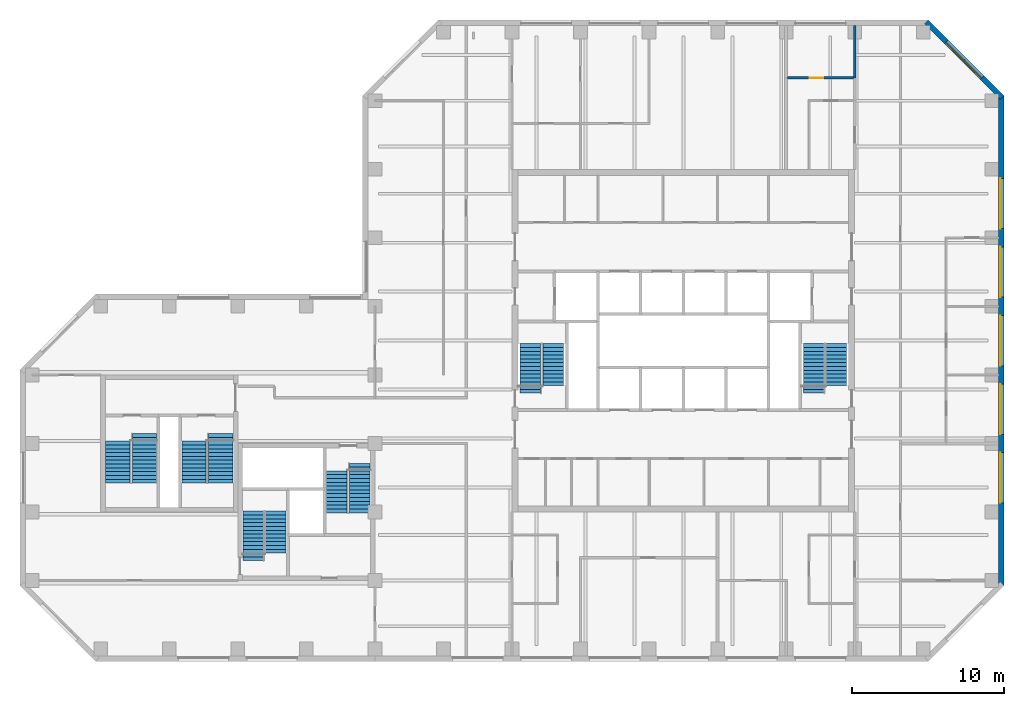
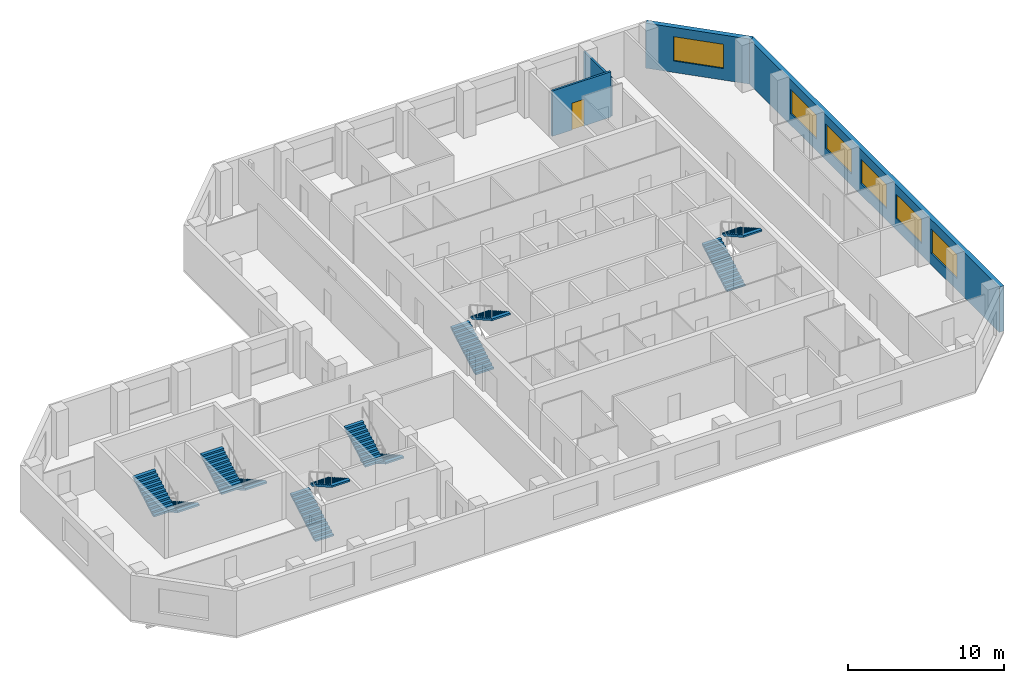
# One storey, part 7 of 8: 12 stair flights, 6 windows, 4 walls, 1 door, 7 openings, 6 elements without a shape of their own.
"""IFC4 building model written with IfcOpenShell, lengths in metres."""

import ifcopenshell
import ifcopenshell.guid

model = None  # the IFC model being written
_history = None  # IfcOwnerHistory: only IFC2X3 demands one
_inside = {}  # id of a spatial element -> (the spatial element, [elements in it])
_under = {}  # id of a project, library or spatial element -> (it, [spatial elements below it])
_declared = {}  # id of a project -> (the project, [libraries it declares])
_typed = {}  # id of a type object -> (the type object, [elements of that type])
_made_of = {}  # id of a material, layer set ... -> (it, [elements and type objects made of it])


def new_model(schema):
    """Start an empty IFC model of exactly this schema.

    Asked for "IFC4X3", IfcOpenShell would pick the latest addendum, in which some entities
    have other attributes; the version numbers below select the first issue.
    IFC2X3 requires an IfcOwnerHistory on every rooted entity: one is made here for all.
    """
    global model, _history
    if schema == "IFC4X3":
        model = ifcopenshell.file(schema_version=(4, 3, 0, 0))
    else:
        model = ifcopenshell.file(schema=schema)
    _inside.clear()
    _under.clear()
    _declared.clear()
    _typed.clear()
    _made_of.clear()
    _history = None
    if model.schema == "IFC2X3":
        org = make("IfcOrganization", Name="unknown")
        user = make(
            "IfcPersonAndOrganization",
            ThePerson=make("IfcPerson", FamilyName="unknown"),
            TheOrganization=org,
        )
        app = make(
            "IfcApplication",
            ApplicationDeveloper=org,
            Version="unknown",
            ApplicationFullName="unknown",
            ApplicationIdentifier="unknown",
        )
        _history = make(
            "IfcOwnerHistory",
            OwningUser=user,
            OwningApplication=app,
            ChangeAction="ADDED",
            CreationDate=0,
        )
    return model


def make(cls, **values):
    """One entity of the class cls with the attributes given. An attribute that is None is left unset."""
    return model.create_entity(
        cls, **{name: value for name, value in values.items() if value is not None}
    )


def rooted(cls, **values):
    """An entity with a GlobalId (a new one), such as an element, a storey or a relation."""
    return make(cls, GlobalId=ifcopenshell.guid.new(), OwnerHistory=_history, **values)


def si_unit(unit_type, name, prefix=None):
    """IfcSIUnit, for example si_unit("LENGTHUNIT", "METRE", prefix="MILLI")."""
    return make("IfcSIUnit", UnitType=unit_type, Prefix=prefix, Name=name)


def assignment(units):
    """IfcUnitAssignment: the units of a project."""
    return None if units is None else make("IfcUnitAssignment", Units=units)


def point(xyz):
    """IfcCartesianPoint."""
    return None if xyz is None else make("IfcCartesianPoint", Coordinates=xyz)


def direction(xyz):
    """IfcDirection."""
    return None if xyz is None else make("IfcDirection", DirectionRatios=xyz)


def frame(location, z_axis=None, x_axis=None):
    """IfcAxis2Placement3D, a coordinate frame: its origin and axes. An axis left out is left unset."""
    return make(
        "IfcAxis2Placement3D",
        Location=point(location),
        Axis=direction(z_axis),
        RefDirection=direction(x_axis),
    )


def frame_2d(location, x_axis=None):
    """IfcAxis2Placement2D, a coordinate frame in the plane: its origin and x axis."""
    return make(
        "IfcAxis2Placement2D", Location=point(location), RefDirection=direction(x_axis)
    )


def origin():
    """The frame at (0, 0, 0) with its axes left unset."""
    return frame((0.0, 0.0, 0.0))


def place(relative_to, where):
    """IfcLocalPlacement: puts the frame where relative to a parent placement (None: the world)."""
    return make(
        "IfcLocalPlacement", PlacementRelTo=relative_to, RelativePlacement=where
    )


def context(
    kind, dimensions, precision=None, world=None, true_north=None, identifier=None
):
    """IfcGeometricRepresentationContext, for example the 3D "Model" context."""
    return make(
        "IfcGeometricRepresentationContext",
        ContextIdentifier=identifier,
        ContextType=kind,
        CoordinateSpaceDimension=dimensions,
        Precision=precision,
        WorldCoordinateSystem=world,
        TrueNorth=true_north,
    )


def subcontext(parent, identifier, kind, view, scale=None):
    """IfcGeometricRepresentationSubContext, for example "Body" below "Model"."""
    return make(
        "IfcGeometricRepresentationSubContext",
        ContextIdentifier=identifier,
        ContextType=kind,
        ParentContext=parent,
        TargetScale=scale,
        TargetView=view,
    )


def project(units=None, contexts=None):
    """IfcProject with its units and contexts."""
    return rooted(
        "IfcProject",
        Name="project",
        RepresentationContexts=contexts,
        UnitsInContext=assignment(units),
    )


def spatial(cls, under=None, at=None, **own):
    """A site, building, storey or space (cls), placed at a placement, below another one or the project."""
    s = rooted(cls, ObjectPlacement=at, **own)
    if under is not None:
        _under.setdefault(under.id(), (under, []))[1].append(s)
    return s


def polyline(points):
    """IfcPolyline through the points."""
    return make("IfcPolyline", Points=[point(p) for p in points])


def profile(cls, at=None, kind="AREA", **sizes):
    """A parametric profile (cls). Its sizes go by their IFC names, for example OverallWidth=200.0."""
    return make(cls, ProfileType=kind, Position=at, **sizes)


def rectangle(**sizes):
    """IfcRectangleProfileDef."""
    return profile("IfcRectangleProfileDef", **sizes)


def outline(outer, holes=None, kind="AREA"):
    """IfcArbitraryClosedProfileDef: a profile drawn as a closed curve; with holes, ...WithVoids."""
    if holes is None:
        return make("IfcArbitraryClosedProfileDef", ProfileType=kind, OuterCurve=outer)
    return make(
        "IfcArbitraryProfileDefWithVoids",
        ProfileType=kind,
        OuterCurve=outer,
        InnerCurves=holes,
    )


def extrude(swept, where, along, depth):
    """IfcExtrudedAreaSolid: the profile swept, set in the frame where, extruded along a direction by depth."""
    return make(
        "IfcExtrudedAreaSolid",
        SweptArea=swept,
        Position=where,
        ExtrudedDirection=direction(along),
        Depth=depth,
    )


def shape(context_of_items, identifier, shape_type, items):
    """IfcShapeRepresentation: the items that make up one representation, for example the "Body"."""
    return make(
        "IfcShapeRepresentation",
        ContextOfItems=context_of_items,
        RepresentationIdentifier=identifier,
        RepresentationType=shape_type,
        Items=items,
    )


def material(Name=None, Category=None):
    """IfcMaterial."""
    return make("IfcMaterial", Name=Name, Category=Category)


def layer(
    of_material, thickness, ventilated=None, Name=None, Category=None, Priority=None
):
    """IfcMaterialLayer: one layer of a wall or slab, of a material (None: an air gap)."""
    return make(
        "IfcMaterialLayer",
        Material=of_material,
        LayerThickness=thickness,
        IsVentilated=ventilated,
        Name=Name,
        Category=Category,
        Priority=Priority,
    )


def layer_set(layers, Name=None):
    """IfcMaterialLayerSet."""
    return make("IfcMaterialLayerSet", MaterialLayers=layers, LayerSetName=Name)


def constituent(of_material, Name=None, Category=None, fraction=None):
    """IfcMaterialConstituent: one of the materials an element consists of."""
    return make(
        "IfcMaterialConstituent",
        Name=Name,
        Material=of_material,
        Fraction=fraction,
        Category=Category,
    )


def constituent_set(constituents=None, Name=None):
    """IfcMaterialConstituentSet."""
    return make(
        "IfcMaterialConstituentSet", Name=Name, MaterialConstituents=constituents
    )


def made_of(thing, what):
    """Note that an element or type object is made of a material, layer set ...; save() writes the relation."""
    if what is not None:
        _made_of.setdefault(what.id(), (what, []))[1].append(thing)
    return thing


def type_object(cls, material=None, **own):
    """A type object (cls), such as IfcWallType, which elements share."""
    return made_of(rooted(cls, **own), material)


def element(
    cls,
    number,
    at=None,
    inside=None,
    cuts=None,
    type_object=None,
    material=None,
    context=None,
    identifier="Body",
    shape_type=None,
    held_by="IfcProductDefinitionShape",
    body=None,
    shapes=None,
    **own,
):
    """One element of the class cls, such as IfcWall. Its Tag is "e" and its number.

    at: its placement. inside: the storey or other place that contains it. cuts: it is an
    opening in that element (IfcRelVoidsElement). A single representation is given by context,
    identifier, shape_type and body (its items); several are given by shapes. held_by: the class
    of the entity that holds the representations. save() writes the other relations.
    """
    e = rooted(cls, Tag="e%d" % number, ObjectPlacement=at, **own)
    if body is not None:
        shapes = [shape(context, identifier, shape_type, body)]
    if shapes is not None:
        e.Representation = make(held_by, Representations=shapes)
    if inside is not None:
        _inside.setdefault(inside.id(), (inside, []))[1].append(e)
    if cuts is not None:
        rooted(
            "IfcRelVoidsElement", RelatingBuildingElement=cuts, RelatedOpeningElement=e
        )
    if type_object is not None:
        _typed.setdefault(type_object.id(), (type_object, []))[1].append(e)
    return made_of(e, material)


def fill(opening, filler):
    """IfcRelFillsElement: the door or window that sits in an opening."""
    return rooted(
        "IfcRelFillsElement",
        RelatingOpeningElement=opening,
        RelatedBuildingElement=filler,
    )


def aggregate(whole, parts):
    """IfcRelAggregates: a whole, such as a stair, and the parts it consists of."""
    return rooted("IfcRelAggregates", RelatingObject=whole, RelatedObjects=parts)


def save(model, path):
    """Write the relations noted so far, then the file.

    IfcRelAggregates (storeys below a building ...), IfcRelContainedInSpatialStructure (elements
    in a storey), IfcRelDefinesByType, IfcRelAssociatesMaterial and IfcRelDeclares: one each for
    every whole, place, type object, material and project.
    """
    for whole, parts in _under.values():
        aggregate(whole, parts)
    for where, things in _inside.values():
        rooted(
            "IfcRelContainedInSpatialStructure",
            RelatedElements=things,
            RelatingStructure=where,
        )
    for kind, things in _typed.values():
        rooted("IfcRelDefinesByType", RelatedObjects=things, RelatingType=kind)
    for what, things in _made_of.values():
        rooted("IfcRelAssociatesMaterial", RelatedObjects=things, RelatingMaterial=what)
    for by, libraries in _declared.values():
        rooted("IfcRelDeclares", RelatingContext=by, RelatedDefinitions=libraries)
    model.write(path)


model = new_model("IFC4")

# Units and contexts
model_context = context("Model", 3, precision=1e-05, world=origin(), true_north=direction((0.0, 1.0)))
body_context = subcontext(model_context, "Body", "Model", "MODEL_VIEW")
ifc_project = project(units=[si_unit("LENGTHUNIT", "METRE"), si_unit("AREAUNIT", "SQUARE_METRE"), si_unit("VOLUMEUNIT", "CUBIC_METRE"), si_unit("PLANEANGLEUNIT", "RADIAN"), si_unit("MASSUNIT", "GRAM", prefix="KILO")], contexts=[model_context])

# Site, building, storey
site_placement = place(None, origin())
site = spatial("IfcSite", under=ifc_project, at=site_placement, CompositionType="ELEMENT")
building_placement = place(site_placement, origin())
building = spatial("IfcBuilding", under=site, at=building_placement, Name="Quoin Convention Tower", CompositionType="ELEMENT")
storey_placement = place(building_placement, frame((0.0, 0.0, 211.89990234375)))
storey = spatial("IfcBuildingStorey", under=building, at=storey_placement, Name="L55", CompositionType="ELEMENT", Elevation=211.89990234375)

# Wall, opening, door
ifc_material_1 = material(Name="Plasterboard")
ifc_layer_1 = layer(ifc_material_1, 0.012451171875, Name="Finish")
ifc_material_2 = material(Name="Steel stud framing", Category="steel")
ifc_layer_2 = layer(ifc_material_2, 0.125, Name="Structure")
ifc_layer_3 = layer(ifc_material_1, 0.012451171875, Name="Finish")
ifc_layer_set_1 = layer_set([ifc_layer_1, ifc_layer_2, ifc_layer_3], Name="Steel stud framing")
wall_type_1 = type_object("IfcWallType", Name="Acoustic partition 150", PredefinedType="PARTITIONING", material=ifc_layer_set_1)
wall_1_placement = place(storey_placement, frame((63.10009765625, 78.0, 0.0), z_axis=(0.0, 0.0, 1.0), x_axis=(1.0, 0.0, 0.0)))
wall_1 = element("IfcWall", 1, at=wall_1_placement, inside=storey, type_object=wall_type_1, Name="pw-L55-024", PredefinedType="PARTITIONING", context=body_context, shape_type="SweptSolid", body=[
    extrude(rectangle(XDim=4.324951171875, YDim=0.14990234375, at=frame_2d((2.16259765625, 0.0))), origin(), (0.0, 0.0, 1.0), 3.550048828125),
])
opening_1_placement = place(wall_1_placement, frame((1.449951171875, 0.0, 0.0)))
opening_1 = element("IfcOpeningElement", 2, at=opening_1_placement, cuts=wall_1, Name="Opening DOH9-08", PredefinedType="OPENING", context=body_context, shape_type="SweptSolid", body=[
    extrude(rectangle(XDim=0.89990234375, YDim=2.10009765625, at=frame_2d((0.449951171875, 1.050048828125))), frame((0.0, 0.0849609375, 0.0), z_axis=(0.0, -1.0, 0.0), x_axis=(1.0, 0.0, 0.0)), (0.0, 0.0, 1.0), 0.169921875),
])
ifc_material_3 = material(Name="Steel door leaf", Category="steel")
door_type = type_object("IfcDoorType", Name="Office door 900 x 2100", OperationType="SINGLE_SWING_RIGHT", PredefinedType="DOOR", material=ifc_material_3)
door_placement = place(opening_1_placement, origin())
door = element("IfcDoor", 3, at=door_placement, inside=storey, type_object=door_type, Name="dr-L55-19", OperationType="SINGLE_SWING_LEFT", OverallHeight=2.10009765625, OverallWidth=0.89990234375, PredefinedType="DOOR", context=body_context, shape_type="SweptSolid", body=[
    extrude(rectangle(XDim=0.89990234375, YDim=2.10009765625, at=frame_2d((0.449951171875, 1.050048828125))), frame((0.0, 0.02490234375, 0.0), z_axis=(0.0, -1.0, 0.0), x_axis=(1.0, 0.0, 0.0)), (0.0, 0.0, 1.0), 0.050048828125),
])
fill(opening_1, door)

# Wall, openings, windows
ifc_material_4 = material(Name="Brick masonry", Category="masonry")
ifc_layer_4 = layer(ifc_material_4, 0.35009765625)
ifc_layer_set_2 = layer_set([ifc_layer_4], Name="Brick masonry")
wall_type_2 = type_object("IfcWallType", Name="Brick facade wall", PredefinedType="STANDARD", material=ifc_layer_set_2)
wall_2_placement = place(storey_placement, frame((77.125, 44.668701171875, 0.0), z_axis=(0.0, 0.0, 1.0), x_axis=(0.0, 1.0, 0.0)))
wall_2 = element("IfcWall", 4, at=wall_2_placement, inside=storey, type_object=wall_type_2, Name="fw-L55-76500_45000", PredefinedType="STANDARD", context=body_context, shape_type="SweptSolid", body=[
    extrude(rectangle(XDim=32.16259765625, YDim=0.35009765625, at=frame_2d((16.081298828125, 0.0))), origin(), (0.0, 0.0, 1.0), 3.525146484375),
])
opening_2_placement = place(wall_2_placement, frame((5.431396484375, 0.0, 0.89990234375)))
opening_2 = element("IfcOpeningElement", 5, at=opening_2_placement, cuts=wall_2, Name="Opening W-02", PredefinedType="OPENING", context=body_context, shape_type="SweptSolid", body=[
    extrude(rectangle(XDim=3.300048828125, YDim=1.89990234375, at=frame_2d((1.64990234375, 0.949951171875))), frame((0.0, 0.18505859375, 0.0), z_axis=(0.0, -1.0, 0.0), x_axis=(1.0, 0.0, 0.0)), (0.0, 0.0, 1.0), 0.3701171875),
])
opening_3_placement = place(wall_2_placement, frame((9.931396484375, 0.0, 0.89990234375)))
opening_3 = element("IfcOpeningElement", 6, at=opening_3_placement, cuts=wall_2, Name="Opening W-02", PredefinedType="OPENING", context=body_context, shape_type="SweptSolid", body=[
    extrude(rectangle(XDim=3.300048828125, YDim=1.89990234375, at=frame_2d((1.64990234375, 0.949951171875))), frame((0.0, 0.18505859375, 0.0), z_axis=(0.0, -1.0, 0.0), x_axis=(1.0, 0.0, 0.0)), (0.0, 0.0, 1.0), 0.3701171875),
])
opening_4_placement = place(wall_2_placement, frame((14.431396484375, 0.0, 0.89990234375)))
opening_4 = element("IfcOpeningElement", 7, at=opening_4_placement, cuts=wall_2, Name="Opening W-02", PredefinedType="OPENING", context=body_context, shape_type="SweptSolid", body=[
    extrude(rectangle(XDim=3.300048828125, YDim=1.89990234375, at=frame_2d((1.64990234375, 0.949951171875))), frame((0.0, 0.18505859375, 0.0), z_axis=(0.0, -1.0, 0.0), x_axis=(1.0, 0.0, 0.0)), (0.0, 0.0, 1.0), 0.3701171875),
])
opening_5_placement = place(wall_2_placement, frame((18.931396484375, 0.0, 0.89990234375)))
opening_5 = element("IfcOpeningElement", 8, at=opening_5_placement, cuts=wall_2, Name="Opening W-02", PredefinedType="OPENING", context=body_context, shape_type="SweptSolid", body=[
    extrude(rectangle(XDim=3.300048828125, YDim=1.89990234375, at=frame_2d((1.64990234375, 0.949951171875))), frame((0.0, 0.18505859375, 0.0), z_axis=(0.0, -1.0, 0.0), x_axis=(1.0, 0.0, 0.0)), (0.0, 0.0, 1.0), 0.3701171875),
])
opening_6_placement = place(wall_2_placement, frame((23.431396484375, 0.0, 0.89990234375)))
opening_6 = element("IfcOpeningElement", 9, at=opening_6_placement, cuts=wall_2, Name="Opening W-02", PredefinedType="OPENING", context=body_context, shape_type="SweptSolid", body=[
    extrude(rectangle(XDim=3.300048828125, YDim=1.89990234375, at=frame_2d((1.64990234375, 0.949951171875))), frame((0.0, 0.18505859375, 0.0), z_axis=(0.0, -1.0, 0.0), x_axis=(1.0, 0.0, 0.0)), (0.0, 0.0, 1.0), 0.3701171875),
])
ifc_material_5 = material(Name="Aluminium", Category="aluminium")
ifc_constituent_1 = constituent(ifc_material_5, Name="Frame")
ifc_material_6 = material(Name="Insulated glass", Category="glass")
ifc_constituent_2 = constituent(ifc_material_6, Name="Glazing")
ifc_constituent_set = constituent_set(constituents=[ifc_constituent_1, ifc_constituent_2], Name="Aluminium")
window_type = type_object("IfcWindowType", Name="Office window", PartitioningType="DOUBLE_PANEL_VERTICAL", PredefinedType="WINDOW", material=ifc_constituent_set)
window_1_placement = place(opening_2_placement, origin())
window_1 = element("IfcWindow", 10, at=window_1_placement, inside=storey, type_object=window_type, Name="win-L55-77125_51750", OverallHeight=1.89990234375, OverallWidth=3.300048828125, PartitioningType="SINGLE_PANEL", PredefinedType="WINDOW", context=body_context, shape_type="SweptSolid", body=[
    extrude(rectangle(XDim=3.300048828125, YDim=1.89990234375, at=frame_2d((1.64990234375, 0.949951171875))), frame((0.0, 0.0849609375, 0.0), z_axis=(0.0, -1.0, 0.0), x_axis=(1.0, 0.0, 0.0)), (0.0, 0.0, 1.0), 0.06005859375),
])
fill(opening_2, window_1)
window_2_placement = place(opening_3_placement, origin())
window_2 = element("IfcWindow", 11, at=window_2_placement, inside=storey, type_object=window_type, Name="win-L55-77125_56250", OverallHeight=1.89990234375, OverallWidth=3.300048828125, PartitioningType="SINGLE_PANEL", PredefinedType="WINDOW", context=body_context, shape_type="SweptSolid", body=[
    extrude(rectangle(XDim=3.300048828125, YDim=1.89990234375, at=frame_2d((1.64990234375, 0.949951171875))), frame((0.0, 0.0849609375, 0.0), z_axis=(0.0, -1.0, 0.0), x_axis=(1.0, 0.0, 0.0)), (0.0, 0.0, 1.0), 0.06005859375),
])
fill(opening_3, window_2)
window_3_placement = place(opening_4_placement, origin())
window_3 = element("IfcWindow", 12, at=window_3_placement, inside=storey, type_object=window_type, Name="win-L55-77125_60750", OverallHeight=1.89990234375, OverallWidth=3.300048828125, PartitioningType="SINGLE_PANEL", PredefinedType="WINDOW", context=body_context, shape_type="SweptSolid", body=[
    extrude(rectangle(XDim=3.300048828125, YDim=1.89990234375, at=frame_2d((1.64990234375, 0.949951171875))), frame((0.0, 0.0849609375, 0.0), z_axis=(0.0, -1.0, 0.0), x_axis=(1.0, 0.0, 0.0)), (0.0, 0.0, 1.0), 0.06005859375),
])
fill(opening_4, window_3)
window_4_placement = place(opening_5_placement, origin())
window_4 = element("IfcWindow", 13, at=window_4_placement, inside=storey, type_object=window_type, Name="win-L55-77125_65250", OverallHeight=1.89990234375, OverallWidth=3.300048828125, PartitioningType="SINGLE_PANEL", PredefinedType="WINDOW", context=body_context, shape_type="SweptSolid", body=[
    extrude(rectangle(XDim=3.300048828125, YDim=1.89990234375, at=frame_2d((1.64990234375, 0.949951171875))), frame((0.0, 0.0849609375, 0.0), z_axis=(0.0, -1.0, 0.0), x_axis=(1.0, 0.0, 0.0)), (0.0, 0.0, 1.0), 0.06005859375),
])
fill(opening_5, window_4)
window_5_placement = place(opening_6_placement, origin())
window_5 = element("IfcWindow", 14, at=window_5_placement, inside=storey, type_object=window_type, Name="win-L55-77125_69750", OverallHeight=1.89990234375, OverallWidth=3.300048828125, PartitioningType="SINGLE_PANEL", PredefinedType="WINDOW", context=body_context, shape_type="SweptSolid", body=[
    extrude(rectangle(XDim=3.300048828125, YDim=1.89990234375, at=frame_2d((1.64990234375, 0.949951171875))), frame((0.0, 0.0849609375, 0.0), z_axis=(0.0, -1.0, 0.0), x_axis=(1.0, 0.0, 0.0)), (0.0, 0.0, 1.0), 0.06005859375),
])
fill(opening_6, window_5)

# Wall, opening, window
wall_3_placement = place(storey_placement, frame((77.17626953125, 76.70751953125, 0.0), z_axis=(0.0, 0.0, 1.0), x_axis=(-0.707106781187, 0.707106781187, 0.0)))
wall_3 = element("IfcWall", 15, at=wall_3_placement, inside=storey, type_object=wall_type_2, Name="fw-L55-76500_76500", PredefinedType="STANDARD", context=body_context, shape_type="SweptSolid", body=[
    extrude(rectangle(XDim=7.02685546875, YDim=0.35009765625, at=frame_2d((3.513427734375, 0.0))), origin(), (0.0, 0.0, 1.0), 3.525146484375),
])
opening_7_placement = place(wall_3_placement, frame((1.86328125, 0.0, 0.89990234375)))
opening_7 = element("IfcOpeningElement", 16, at=opening_7_placement, cuts=wall_3, Name="Opening W-02", PredefinedType="OPENING", context=body_context, shape_type="SweptSolid", body=[
    extrude(rectangle(XDim=3.300048828125, YDim=1.89990234375, at=frame_2d((1.64990234375, 0.949951171875))), frame((0.0, 0.18505859375, 0.0), z_axis=(0.0, -1.0, 0.0), x_axis=(1.0, 0.0, 0.0)), (0.0, 0.0, 1.0), 0.3701171875),
])
window_6_placement = place(opening_7_placement, origin())
window_6 = element("IfcWindow", 17, at=window_6_placement, inside=storey, type_object=window_type, Name="win-L55-74692_79192", OverallHeight=1.89990234375, OverallWidth=3.300048828125, PartitioningType="SINGLE_PANEL", PredefinedType="WINDOW", context=body_context, shape_type="SweptSolid", body=[
    extrude(rectangle(XDim=3.300048828125, YDim=1.89990234375, at=frame_2d((1.64990234375, 0.949951171875))), frame((0.0, 0.0849609375, 0.0), z_axis=(0.0, -1.0, 0.0), x_axis=(1.0, 0.0, 0.0)), (0.0, 0.0, 1.0), 0.06005859375),
])
fill(opening_7, window_6)

# Wall
ifc_layer_5 = layer(ifc_material_1, 0.012451171875, Name="Finish")
ifc_layer_6 = layer(ifc_material_2, 0.125, Name="Structure")
ifc_layer_7 = layer(ifc_material_1, 0.012451171875, Name="Finish")
ifc_layer_set_3 = layer_set([ifc_layer_5, ifc_layer_6, ifc_layer_7], Name="Steel stud framing")
wall_type_3 = type_object("IfcWallType", Name="Corridor wall 150 under beam 528", PredefinedType="PARTITIONING", material=ifc_layer_set_3)
wall_4_placement = place(storey_placement, frame((67.5, 78.0, 0.0), z_axis=(0.0, 0.0, 1.0), x_axis=(0.0, 1.0, 0.0)))
element("IfcWall", 18, at=wall_4_placement, inside=storey, type_object=wall_type_3, Name="pw-L55-065", PredefinedType="PARTITIONING", context=body_context, shape_type="SweptSolid", body=[
    extrude(rectangle(XDim=3.449951171875, YDim=0.14990234375, at=frame_2d((1.72509765625, 0.0))), origin(), (0.0, 0.0, 1.0), 3.022216796875),
])

# Stair, stair flights
ifc_material_7 = material(Name="Concrete C40", Category="concrete")
stair_type_1 = type_object("IfcStairType", Name="Exit stair two-flight 1350", PredefinedType="HALF_TURN_STAIR", material=ifc_material_7)
stair_1_placement = place(storey_placement, origin())
stair_1 = element("IfcStair", 19, at=stair_1_placement, inside=storey, type_object=stair_type_1, Name="SD1 L55", PredefinedType="HALF_TURN_STAIR")
stair_flight_type_1 = type_object("IfcStairFlightType", Name="Stair flight 1350", PredefinedType="STRAIGHT", material=ifc_material_7)
stair_flight_1_placement = place(storey_placement, frame((46.199951171875, 57.300048828125, 0.0), z_axis=(0.0, 0.0, 1.0), x_axis=(0.0, 1.0, 0.0)))
stair_flight_1 = element("IfcStairFlight", 20, at=stair_flight_1_placement, type_object=stair_flight_type_1, Name="ST1 flight 1", NumberOfRisers=14, NumberOfTreads=13, PredefinedType="STRAIGHT", RiserHeight=0.142307692, TreadLength=0.25, context=body_context, shape_type="SweptSolid", body=[
    extrude(outline(polyline([(0.0, 0.0), (0.0, 0.142333984375), (0.25, 0.142333984375), (0.25, 0.28466796875), (0.5, 0.28466796875), (0.5, 0.427001953125), (0.75, 0.427001953125), (0.75, 0.5693359375), (1.0, 0.5693359375), (1.0, 0.71142578125), (1.25, 0.71142578125), (1.25, 0.853759765625), (1.5, 0.853759765625), (1.5, 0.99609375), (1.75, 0.99609375), (1.75, 1.138427734375), (2.0, 1.138427734375), (2.0, 1.28076171875), (2.25, 1.28076171875), (2.25, 1.423095703125), (2.5, 1.423095703125), (2.5, 1.5654296875), (2.75, 1.5654296875), (2.75, 1.707763671875), (3.0, 1.707763671875), (3.0, 1.85009765625), (3.25, 1.85009765625), (3.25, 1.9921875), (3.25, 1.711669921875), (0.242919921875, 0.0), (0.0, 0.0)])), frame((0.0, 0.675048828125, 0.0), z_axis=(0.0, -1.0, 0.0), x_axis=(1.0, 0.0, 0.0)), (0.0, 0.0, 1.0), 1.35009765625),
])
stair_flight_2_placement = place(storey_placement, frame((47.699951171875, 60.550048828125, 1.992431640625), z_axis=(0.0, 0.0, 1.0), x_axis=(0.0, -1.0, 0.0)))
stair_flight_2 = element("IfcStairFlight", 21, at=stair_flight_2_placement, type_object=stair_flight_type_1, Name="ST1 flight 2", NumberOfRisers=12, NumberOfTreads=11, PredefinedType="STRAIGHT", RiserHeight=0.142307692, TreadLength=0.25, context=body_context, shape_type="SweptSolid", body=[
    extrude(outline(polyline([(0.0, 0.0), (0.0, 0.142333984375), (0.25, 0.142333984375), (0.25, 0.28466796875), (0.5, 0.28466796875), (0.5, 0.427001953125), (0.75, 0.427001953125), (0.75, 0.5693359375), (1.0, 0.5693359375), (1.0, 0.71142578125), (1.25, 0.71142578125), (1.25, 0.853759765625), (1.5, 0.853759765625), (1.5, 0.99609375), (1.75, 0.99609375), (1.75, 1.138427734375), (2.0, 1.138427734375), (2.0, 1.28076171875), (2.25, 1.28076171875), (2.25, 1.423095703125), (2.5, 1.423095703125), (2.5, 1.5654296875), (2.75, 1.5654296875), (2.75, 1.707763671875), (2.75, 1.42724609375), (0.242919921875, 0.0), (0.0, 0.0)])), frame((0.0, 0.675048828125, 0.0), z_axis=(0.0, -1.0, 0.0), x_axis=(1.0, 0.0, 0.0)), (0.0, 0.0, 1.0), 1.35009765625),
])
aggregate(stair_1, [stair_flight_1, stair_flight_2])

stair_2_placement = place(storey_placement, origin())
stair_2 = element("IfcStair", 22, at=stair_2_placement, inside=storey, type_object=stair_type_1, Name="SD2 L55", PredefinedType="HALF_TURN_STAIR")
stair_flight_3_placement = place(storey_placement, frame((64.800048828125, 57.300048828125, 0.0), z_axis=(0.0, 0.0, 1.0), x_axis=(0.0, 1.0, 0.0)))
stair_flight_3 = element("IfcStairFlight", 23, at=stair_flight_3_placement, type_object=stair_flight_type_1, Name="ST2 flight 1", NumberOfRisers=14, NumberOfTreads=13, PredefinedType="STRAIGHT", RiserHeight=0.142307692, TreadLength=0.25, context=body_context, shape_type="SweptSolid", body=[
    extrude(outline(polyline([(0.0, 0.0), (0.0, 0.142333984375), (0.25, 0.142333984375), (0.25, 0.28466796875), (0.5, 0.28466796875), (0.5, 0.427001953125), (0.75, 0.427001953125), (0.75, 0.5693359375), (1.0, 0.5693359375), (1.0, 0.71142578125), (1.25, 0.71142578125), (1.25, 0.853759765625), (1.5, 0.853759765625), (1.5, 0.99609375), (1.75, 0.99609375), (1.75, 1.138427734375), (2.0, 1.138427734375), (2.0, 1.28076171875), (2.25, 1.28076171875), (2.25, 1.423095703125), (2.5, 1.423095703125), (2.5, 1.5654296875), (2.75, 1.5654296875), (2.75, 1.707763671875), (3.0, 1.707763671875), (3.0, 1.85009765625), (3.25, 1.85009765625), (3.25, 1.9921875), (3.25, 1.711669921875), (0.242919921875, 0.0), (0.0, 0.0)])), frame((0.0, 0.675048828125, 0.0), z_axis=(0.0, -1.0, 0.0), x_axis=(1.0, 0.0, 0.0)), (0.0, 0.0, 1.0), 1.35009765625),
])
stair_flight_4_placement = place(storey_placement, frame((66.300048828125, 60.550048828125, 1.992431640625), z_axis=(0.0, 0.0, 1.0), x_axis=(0.0, -1.0, 0.0)))
stair_flight_4 = element("IfcStairFlight", 24, at=stair_flight_4_placement, type_object=stair_flight_type_1, Name="ST2 flight 2", NumberOfRisers=12, NumberOfTreads=11, PredefinedType="STRAIGHT", RiserHeight=0.142307692, TreadLength=0.25, context=body_context, shape_type="SweptSolid", body=[
    extrude(outline(polyline([(0.0, 0.0), (0.0, 0.142333984375), (0.25, 0.142333984375), (0.25, 0.28466796875), (0.5, 0.28466796875), (0.5, 0.427001953125), (0.75, 0.427001953125), (0.75, 0.5693359375), (1.0, 0.5693359375), (1.0, 0.71142578125), (1.25, 0.71142578125), (1.25, 0.853759765625), (1.5, 0.853759765625), (1.5, 0.99609375), (1.75, 0.99609375), (1.75, 1.138427734375), (2.0, 1.138427734375), (2.0, 1.28076171875), (2.25, 1.28076171875), (2.25, 1.423095703125), (2.5, 1.423095703125), (2.5, 1.5654296875), (2.75, 1.5654296875), (2.75, 1.707763671875), (2.75, 1.42724609375), (0.242919921875, 0.0), (0.0, 0.0)])), frame((0.0, 0.675048828125, 0.0), z_axis=(0.0, -1.0, 0.0), x_axis=(1.0, 0.0, 0.0)), (0.0, 0.0, 1.0), 1.35009765625),
])
aggregate(stair_2, [stair_flight_3, stair_flight_4])

stair_3_placement = place(storey_placement, origin())
stair_3 = element("IfcStair", 25, at=stair_3_placement, inside=storey, type_object=stair_type_1, Name="SD3 L55", PredefinedType="HALF_TURN_STAIR")
stair_flight_5_placement = place(storey_placement, frame((28.0, 46.300048828125, 0.0), z_axis=(0.0, 0.0, 1.0), x_axis=(0.0, 1.0, 0.0)))
stair_flight_5 = element("IfcStairFlight", 26, at=stair_flight_5_placement, type_object=stair_flight_type_1, Name="ST3 flight 1", NumberOfRisers=14, NumberOfTreads=13, PredefinedType="STRAIGHT", RiserHeight=0.142307692, TreadLength=0.25, context=body_context, shape_type="SweptSolid", body=[
    extrude(outline(polyline([(0.0, 0.0), (0.0, 0.142333984375), (0.25, 0.142333984375), (0.25, 0.28466796875), (0.5, 0.28466796875), (0.5, 0.427001953125), (0.75, 0.427001953125), (0.75, 0.5693359375), (1.0, 0.5693359375), (1.0, 0.71142578125), (1.25, 0.71142578125), (1.25, 0.853759765625), (1.5, 0.853759765625), (1.5, 0.99609375), (1.75, 0.99609375), (1.75, 1.138427734375), (2.0, 1.138427734375), (2.0, 1.28076171875), (2.25, 1.28076171875), (2.25, 1.423095703125), (2.5, 1.423095703125), (2.5, 1.5654296875), (2.75, 1.5654296875), (2.75, 1.707763671875), (3.0, 1.707763671875), (3.0, 1.85009765625), (3.25, 1.85009765625), (3.25, 1.9921875), (3.25, 1.711669921875), (0.242919921875, 0.0), (0.0, 0.0)])), frame((0.0, 0.675048828125, 0.0), z_axis=(0.0, -1.0, 0.0), x_axis=(1.0, 0.0, 0.0)), (0.0, 0.0, 1.0), 1.35009765625),
])
stair_flight_6_placement = place(storey_placement, frame((29.5, 49.550048828125, 1.992431640625), z_axis=(0.0, 0.0, 1.0), x_axis=(0.0, -1.0, 0.0)))
stair_flight_6 = element("IfcStairFlight", 27, at=stair_flight_6_placement, type_object=stair_flight_type_1, Name="ST3 flight 2", NumberOfRisers=12, NumberOfTreads=11, PredefinedType="STRAIGHT", RiserHeight=0.142307692, TreadLength=0.25, context=body_context, shape_type="SweptSolid", body=[
    extrude(outline(polyline([(0.0, 0.0), (0.0, 0.142333984375), (0.25, 0.142333984375), (0.25, 0.28466796875), (0.5, 0.28466796875), (0.5, 0.427001953125), (0.75, 0.427001953125), (0.75, 0.5693359375), (1.0, 0.5693359375), (1.0, 0.71142578125), (1.25, 0.71142578125), (1.25, 0.853759765625), (1.5, 0.853759765625), (1.5, 0.99609375), (1.75, 0.99609375), (1.75, 1.138427734375), (2.0, 1.138427734375), (2.0, 1.28076171875), (2.25, 1.28076171875), (2.25, 1.423095703125), (2.5, 1.423095703125), (2.5, 1.5654296875), (2.75, 1.5654296875), (2.75, 1.707763671875), (2.75, 1.42724609375), (0.242919921875, 0.0), (0.0, 0.0)])), frame((0.0, 0.675048828125, 0.0), z_axis=(0.0, -1.0, 0.0), x_axis=(1.0, 0.0, 0.0)), (0.0, 0.0, 1.0), 1.35009765625),
])
aggregate(stair_3, [stair_flight_5, stair_flight_6])

stair_4_placement = place(storey_placement, origin())
stair_4 = element("IfcStair", 28, at=stair_4_placement, inside=storey, type_object=stair_type_1, Name="SD4 L55", PredefinedType="HALF_TURN_STAIR")
stair_flight_7_placement = place(storey_placement, frame((35.0, 52.699951171875, 0.0), z_axis=(0.0, 0.0, 1.0), x_axis=(0.0, -1.0, 0.0)))
stair_flight_7 = element("IfcStairFlight", 29, at=stair_flight_7_placement, type_object=stair_flight_type_1, Name="ST4 flight 1", NumberOfRisers=14, NumberOfTreads=13, PredefinedType="STRAIGHT", RiserHeight=0.142307692, TreadLength=0.25, context=body_context, shape_type="SweptSolid", body=[
    extrude(outline(polyline([(0.0, 0.0), (0.0, 0.142333984375), (0.25, 0.142333984375), (0.25, 0.28466796875), (0.5, 0.28466796875), (0.5, 0.427001953125), (0.75, 0.427001953125), (0.75, 0.5693359375), (1.0, 0.5693359375), (1.0, 0.71142578125), (1.25, 0.71142578125), (1.25, 0.853759765625), (1.5, 0.853759765625), (1.5, 0.99609375), (1.75, 0.99609375), (1.75, 1.138427734375), (2.0, 1.138427734375), (2.0, 1.28076171875), (2.25, 1.28076171875), (2.25, 1.423095703125), (2.5, 1.423095703125), (2.5, 1.5654296875), (2.75, 1.5654296875), (2.75, 1.707763671875), (3.0, 1.707763671875), (3.0, 1.85009765625), (3.25, 1.85009765625), (3.25, 1.9921875), (3.25, 1.711669921875), (0.242919921875, 0.0), (0.0, 0.0)])), frame((0.0, 0.675048828125, 0.0), z_axis=(0.0, -1.0, 0.0), x_axis=(1.0, 0.0, 0.0)), (0.0, 0.0, 1.0), 1.35009765625),
])
stair_flight_8_placement = place(storey_placement, frame((33.5, 49.449951171875, 1.992431640625), z_axis=(0.0, 0.0, 1.0), x_axis=(0.0, 1.0, 0.0)))
stair_flight_8 = element("IfcStairFlight", 30, at=stair_flight_8_placement, type_object=stair_flight_type_1, Name="ST4 flight 2", NumberOfRisers=12, NumberOfTreads=11, PredefinedType="STRAIGHT", RiserHeight=0.142307692, TreadLength=0.25, context=body_context, shape_type="SweptSolid", body=[
    extrude(outline(polyline([(0.0, 0.0), (0.0, 0.142333984375), (0.25, 0.142333984375), (0.25, 0.28466796875), (0.5, 0.28466796875), (0.5, 0.427001953125), (0.75, 0.427001953125), (0.75, 0.5693359375), (1.0, 0.5693359375), (1.0, 0.71142578125), (1.25, 0.71142578125), (1.25, 0.853759765625), (1.5, 0.853759765625), (1.5, 0.99609375), (1.75, 0.99609375), (1.75, 1.138427734375), (2.0, 1.138427734375), (2.0, 1.28076171875), (2.25, 1.28076171875), (2.25, 1.423095703125), (2.5, 1.423095703125), (2.5, 1.5654296875), (2.75, 1.5654296875), (2.75, 1.707763671875), (2.75, 1.42724609375), (0.242919921875, 0.0), (0.0, 0.0)])), frame((0.0, 0.675048828125, 0.0), z_axis=(0.0, -1.0, 0.0), x_axis=(1.0, 0.0, 0.0)), (0.0, 0.0, 1.0), 1.35009765625),
])
aggregate(stair_4, [stair_flight_7, stair_flight_8])

stair_type_2 = type_object("IfcStairType", Name="Exit stair two-flight 1600", PredefinedType="HALF_TURN_STAIR", material=ifc_material_7)
stair_5_placement = place(storey_placement, origin())
stair_5 = element("IfcStair", 31, at=stair_5_placement, inside=storey, type_object=stair_type_2, Name="SD11 L55", PredefinedType="HALF_TURN_STAIR")
stair_flight_type_2 = type_object("IfcStairFlightType", Name="Stair flight 1600", PredefinedType="STRAIGHT", material=ifc_material_7)
stair_flight_9_placement = place(storey_placement, frame((20.875, 54.64990234375, 0.0), z_axis=(0.0, 0.0, 1.0), x_axis=(0.0, -1.0, 0.0)))
stair_flight_9 = element("IfcStairFlight", 32, at=stair_flight_9_placement, type_object=stair_flight_type_2, Name="ST11 flight 1", NumberOfRisers=14, NumberOfTreads=13, PredefinedType="STRAIGHT", RiserHeight=0.142307692, TreadLength=0.25, context=body_context, shape_type="SweptSolid", body=[
    extrude(outline(polyline([(0.0, 0.0), (0.0, 0.142333984375), (0.25, 0.142333984375), (0.25, 0.28466796875), (0.5, 0.28466796875), (0.5, 0.427001953125), (0.75, 0.427001953125), (0.75, 0.5693359375), (1.0, 0.5693359375), (1.0, 0.71142578125), (1.25, 0.71142578125), (1.25, 0.853759765625), (1.5, 0.853759765625), (1.5, 0.99609375), (1.75, 0.99609375), (1.75, 1.138427734375), (2.0, 1.138427734375), (2.0, 1.28076171875), (2.25, 1.28076171875), (2.25, 1.423095703125), (2.5, 1.423095703125), (2.5, 1.5654296875), (2.75, 1.5654296875), (2.75, 1.707763671875), (3.0, 1.707763671875), (3.0, 1.85009765625), (3.25, 1.85009765625), (3.25, 1.9921875), (3.25, 1.711669921875), (0.242919921875, 0.0), (0.0, 0.0)])), frame((0.0, 0.800048828125, 0.0), z_axis=(0.0, -1.0, 0.0), x_axis=(1.0, 0.0, 0.0)), (0.0, 0.0, 1.0), 1.60009765625),
])
stair_flight_10_placement = place(storey_placement, frame((19.125, 51.39990234375, 1.992431640625), z_axis=(0.0, 0.0, 1.0), x_axis=(0.0, 1.0, 0.0)))
stair_flight_10 = element("IfcStairFlight", 33, at=stair_flight_10_placement, type_object=stair_flight_type_2, Name="ST11 flight 2", NumberOfRisers=12, NumberOfTreads=11, PredefinedType="STRAIGHT", RiserHeight=0.142307692, TreadLength=0.25, context=body_context, shape_type="SweptSolid", body=[
    extrude(outline(polyline([(0.0, 0.0), (0.0, 0.142333984375), (0.25, 0.142333984375), (0.25, 0.28466796875), (0.5, 0.28466796875), (0.5, 0.427001953125), (0.75, 0.427001953125), (0.75, 0.5693359375), (1.0, 0.5693359375), (1.0, 0.71142578125), (1.25, 0.71142578125), (1.25, 0.853759765625), (1.5, 0.853759765625), (1.5, 0.99609375), (1.75, 0.99609375), (1.75, 1.138427734375), (2.0, 1.138427734375), (2.0, 1.28076171875), (2.25, 1.28076171875), (2.25, 1.423095703125), (2.5, 1.423095703125), (2.5, 1.5654296875), (2.75, 1.5654296875), (2.75, 1.707763671875), (2.75, 1.42724609375), (0.242919921875, 0.0), (0.0, 0.0)])), frame((0.0, 0.800048828125, 0.0), z_axis=(0.0, -1.0, 0.0), x_axis=(1.0, 0.0, 0.0)), (0.0, 0.0, 1.0), 1.60009765625),
])
aggregate(stair_5, [stair_flight_9, stair_flight_10])

stair_6_placement = place(storey_placement, origin())
stair_6 = element("IfcStair", 34, at=stair_6_placement, inside=storey, type_object=stair_type_2, Name="SD12 L55", PredefinedType="HALF_TURN_STAIR")
stair_flight_11_placement = place(storey_placement, frame((25.875, 54.64990234375, 0.0), z_axis=(0.0, 0.0, 1.0), x_axis=(0.0, -1.0, 0.0)))
stair_flight_11 = element("IfcStairFlight", 35, at=stair_flight_11_placement, type_object=stair_flight_type_2, Name="ST12 flight 1", NumberOfRisers=14, NumberOfTreads=13, PredefinedType="STRAIGHT", RiserHeight=0.142307692, TreadLength=0.25, context=body_context, shape_type="SweptSolid", body=[
    extrude(outline(polyline([(0.0, 0.0), (0.0, 0.142333984375), (0.25, 0.142333984375), (0.25, 0.28466796875), (0.5, 0.28466796875), (0.5, 0.427001953125), (0.75, 0.427001953125), (0.75, 0.5693359375), (1.0, 0.5693359375), (1.0, 0.71142578125), (1.25, 0.71142578125), (1.25, 0.853759765625), (1.5, 0.853759765625), (1.5, 0.99609375), (1.75, 0.99609375), (1.75, 1.138427734375), (2.0, 1.138427734375), (2.0, 1.28076171875), (2.25, 1.28076171875), (2.25, 1.423095703125), (2.5, 1.423095703125), (2.5, 1.5654296875), (2.75, 1.5654296875), (2.75, 1.707763671875), (3.0, 1.707763671875), (3.0, 1.85009765625), (3.25, 1.85009765625), (3.25, 1.9921875), (3.25, 1.711669921875), (0.242919921875, 0.0), (0.0, 0.0)])), frame((0.0, 0.800048828125, 0.0), z_axis=(0.0, -1.0, 0.0), x_axis=(1.0, 0.0, 0.0)), (0.0, 0.0, 1.0), 1.60009765625),
])
stair_flight_12_placement = place(storey_placement, frame((24.125, 51.39990234375, 1.992431640625), z_axis=(0.0, 0.0, 1.0), x_axis=(0.0, 1.0, 0.0)))
stair_flight_12 = element("IfcStairFlight", 36, at=stair_flight_12_placement, type_object=stair_flight_type_2, Name="ST12 flight 2", NumberOfRisers=12, NumberOfTreads=11, PredefinedType="STRAIGHT", RiserHeight=0.142307692, TreadLength=0.25, context=body_context, shape_type="SweptSolid", body=[
    extrude(outline(polyline([(0.0, 0.0), (0.0, 0.142333984375), (0.25, 0.142333984375), (0.25, 0.28466796875), (0.5, 0.28466796875), (0.5, 0.427001953125), (0.75, 0.427001953125), (0.75, 0.5693359375), (1.0, 0.5693359375), (1.0, 0.71142578125), (1.25, 0.71142578125), (1.25, 0.853759765625), (1.5, 0.853759765625), (1.5, 0.99609375), (1.75, 0.99609375), (1.75, 1.138427734375), (2.0, 1.138427734375), (2.0, 1.28076171875), (2.25, 1.28076171875), (2.25, 1.423095703125), (2.5, 1.423095703125), (2.5, 1.5654296875), (2.75, 1.5654296875), (2.75, 1.707763671875), (2.75, 1.42724609375), (0.242919921875, 0.0), (0.0, 0.0)])), frame((0.0, 0.800048828125, 0.0), z_axis=(0.0, -1.0, 0.0), x_axis=(1.0, 0.0, 0.0)), (0.0, 0.0, 1.0), 1.60009765625),
])
aggregate(stair_6, [stair_flight_11, stair_flight_12])

save(model, "model.ifc")
